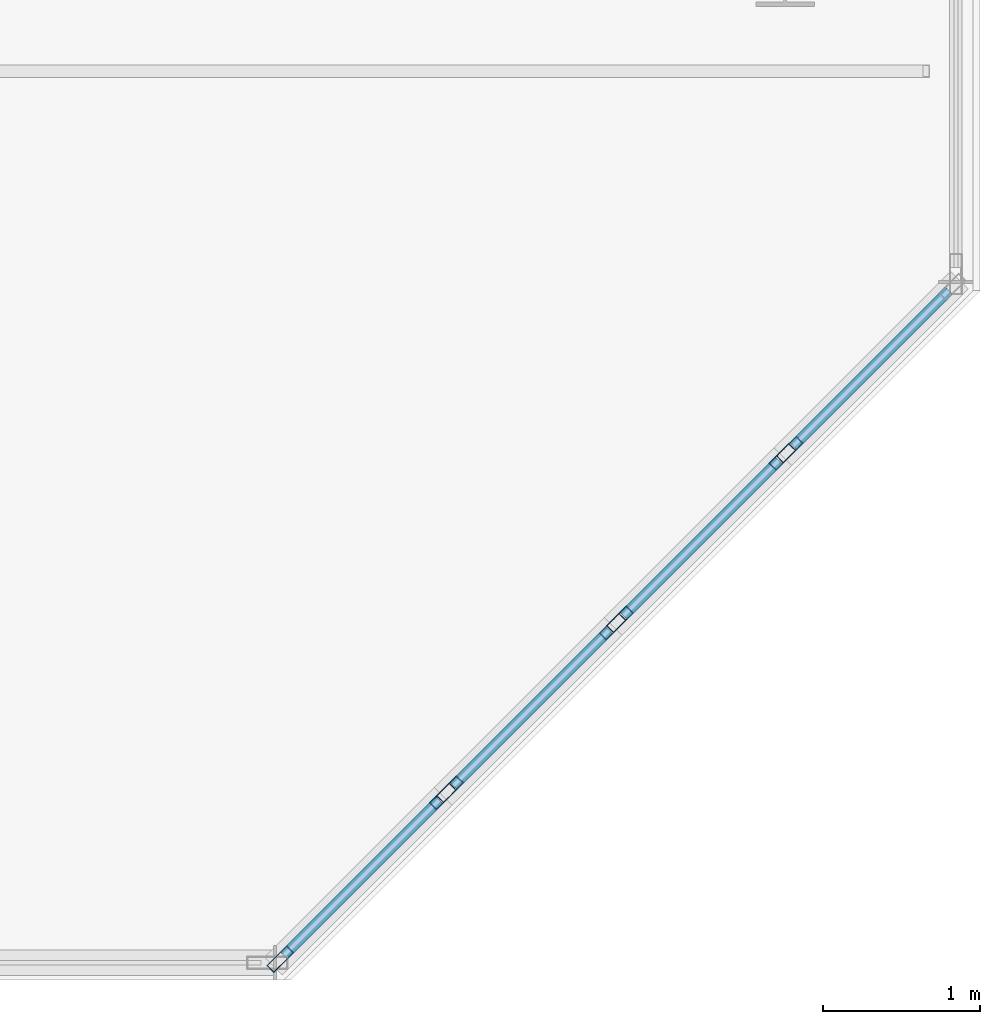
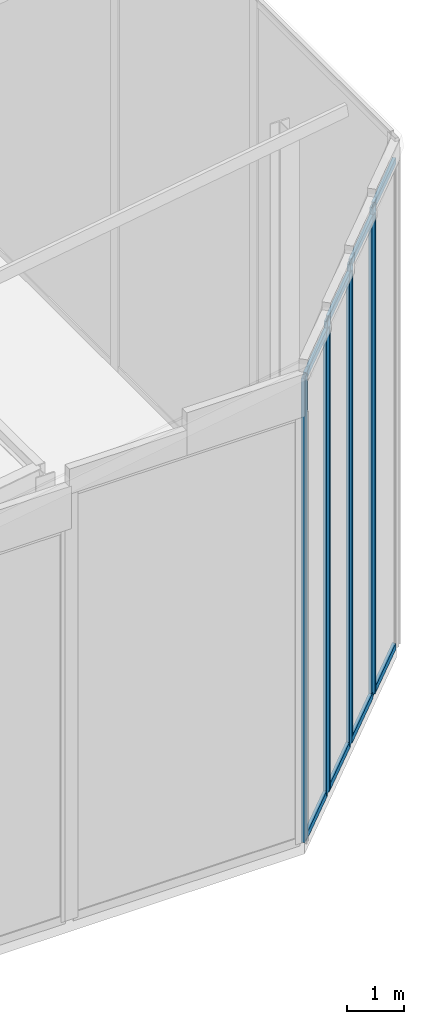
# One storey, part 11 of 30: 15 members, 4 elements without a shape of their own.
"""IFC4 building model written with IfcOpenShell, lengths in metres."""

from ifc_helpers import new_model, si_unit, direction, frame, origin, origin_2d, place, context, subcontext, project, spatial, hollow_rectangle, extrude, material, layer, layer_set, material_profile, profile_set, type_object, element, aggregate, save


model = new_model("IFC4")

# Units and contexts
model_context = context("Model", 3, precision=1e-05, world=origin(), true_north=direction((0.0, 1.0)))
body_context = subcontext(model_context, "Body", "Model", "MODEL_VIEW")
ifc_project = project(units=[si_unit("LENGTHUNIT", "METRE"), si_unit("AREAUNIT", "SQUARE_METRE"), si_unit("VOLUMEUNIT", "CUBIC_METRE"), si_unit("PLANEANGLEUNIT", "RADIAN"), si_unit("MASSUNIT", "GRAM", prefix="KILO")], contexts=[model_context])

# Site, building, storey
site_placement = place(None, origin())
site = spatial("IfcSite", under=ifc_project, at=site_placement, CompositionType="ELEMENT")
building_placement = place(site_placement, origin())
building = spatial("IfcBuilding", under=site, at=building_placement, Name="Tanjung Sevakor Pilgrim Tower", CompositionType="ELEMENT")
storey_placement = place(building_placement, frame((0.0, 0.0, 287.760009765625)))
storey = spatial("IfcBuildingStorey", under=building, at=storey_placement, Name="L80", CompositionType="ELEMENT", Elevation=287.760009765625)

# Curtain wall, members
ifc_material_1 = material(Name="Aluminium 6063-T6 and Low-E Glass", Category="aluminium")
ifc_layer = layer(ifc_material_1, 0.179931640625)
ifc_layer_set = layer_set([ifc_layer], Name="CW-SYS-CHAM")
curtain_wall_type = type_object("IfcCurtainWallType", Name="CW-SYS-CHAM", PredefinedType="NOTDEFINED", material=ifc_layer_set)
curtain_wall_1_placement = place(storey_placement, origin())
curtain_wall_1 = element("IfcCurtainWall", 1, at=curtain_wall_1_placement, inside=storey, type_object=curtain_wall_type, Name="L80 Curtain Wall CW-CHM-L80-EAST-1B1", PredefinedType="NOTDEFINED")
ifc_material_2 = material(Name="Aluminium 6063-T6", Category="aluminium")
ifc_material_profile_1 = material_profile(ifc_material_2, hollow_rectangle(XDim=0.06494140625, YDim=0.179931640625, WallThickness=0.00390625, at=origin_2d()))
ifc_profile_set_1 = profile_set([ifc_material_profile_1], Name="Aluminium 6063-T6")
member_type_1 = type_object("IfcMemberType", Name="TYPE-CWM-1", PredefinedType="MULLION", material=ifc_profile_set_1)
member_1_placement = place(storey_placement, frame((94.77734375, 12.3330078125, 0.0), z_axis=(0.0, 0.0, 1.0), x_axis=(-0.707106781187, 0.707106781187, 0.0)))
member_1 = element("IfcMember", 2, at=member_1_placement, type_object=member_type_1, Name="CW-CHM mullion 1", PredefinedType="MULLION", context=body_context, shape_type="SweptSolid", body=[
    extrude(hollow_rectangle(XDim=0.06494140625, YDim=0.179931640625, WallThickness=0.00390625, at=origin_2d()), origin(), (0.0, 0.0, 1.0), 9.861572265625),
])
member_2_placement = place(storey_placement, frame((95.8154296875, 13.370849609375, 0.0), z_axis=(0.0, 0.0, 1.0), x_axis=(-0.707106781187, 0.707106781187, 0.0)))
member_2 = element("IfcMember", 3, at=member_2_placement, type_object=member_type_1, Name="CW-CHM mullion 2", PredefinedType="MULLION", context=body_context, shape_type="SweptSolid", body=[
    extrude(hollow_rectangle(XDim=0.06494140625, YDim=0.179931640625, WallThickness=0.00390625, at=origin_2d()), origin(), (0.0, 0.0, 1.0), 9.861572265625),
])

curtain_wall_2_placement = place(storey_placement, origin())
curtain_wall_2 = element("IfcCurtainWall", 4, at=curtain_wall_2_placement, inside=storey, type_object=curtain_wall_type, Name="L80 Curtain Wall CW-CHM-L80-EAST-1B2", PredefinedType="NOTDEFINED")
member_3_placement = place(storey_placement, frame((95.861328125, 13.4169921875, 0.0), z_axis=(0.0, 0.0, 1.0), x_axis=(-0.707106781187, 0.707106781187, 0.0)))
member_3 = element("IfcMember", 5, at=member_3_placement, type_object=member_type_1, Name="CW-CHM mullion 1", PredefinedType="MULLION", context=body_context, shape_type="SweptSolid", body=[
    extrude(hollow_rectangle(XDim=0.06494140625, YDim=0.179931640625, WallThickness=0.00390625, at=origin_2d()), origin(), (0.0, 0.0, 1.0), 10.03173828125),
])
member_4_placement = place(storey_placement, frame((96.899169921875, 14.454833984375, 0.0), z_axis=(0.0, 0.0, 1.0), x_axis=(-0.707106781187, 0.707106781187, 0.0)))
member_4 = element("IfcMember", 6, at=member_4_placement, type_object=member_type_1, Name="CW-CHM mullion 2", PredefinedType="MULLION", context=body_context, shape_type="SweptSolid", body=[
    extrude(hollow_rectangle(XDim=0.06494140625, YDim=0.179931640625, WallThickness=0.00390625, at=origin_2d()), origin(), (0.0, 0.0, 1.0), 10.03173828125),
])

curtain_wall_3_placement = place(storey_placement, origin())
curtain_wall_3 = element("IfcCurtainWall", 7, at=curtain_wall_3_placement, inside=storey, type_object=curtain_wall_type, Name="L80 Curtain Wall CW-CHM-L80-EAST-1B3", PredefinedType="NOTDEFINED")
member_5_placement = place(storey_placement, frame((96.945068359375, 14.500732421875, 0.0), z_axis=(0.0, 0.0, 1.0), x_axis=(-0.707106781187, 0.707106781187, 0.0)))
member_5 = element("IfcMember", 8, at=member_5_placement, type_object=member_type_1, Name="CW-CHM mullion 1", PredefinedType="MULLION", context=body_context, shape_type="SweptSolid", body=[
    extrude(hollow_rectangle(XDim=0.06494140625, YDim=0.179931640625, WallThickness=0.00390625, at=origin_2d()), origin(), (0.0, 0.0, 1.0), 10.2021484375),
])
member_6_placement = place(storey_placement, frame((97.983154296875, 15.538818359375, 0.0), z_axis=(0.0, 0.0, 1.0), x_axis=(-0.707106781187, 0.707106781187, 0.0)))
member_6 = element("IfcMember", 9, at=member_6_placement, type_object=member_type_1, Name="CW-CHM mullion 2", PredefinedType="MULLION", context=body_context, shape_type="SweptSolid", body=[
    extrude(hollow_rectangle(XDim=0.06494140625, YDim=0.179931640625, WallThickness=0.00390625, at=origin_2d()), origin(), (0.0, 0.0, 1.0), 10.2021484375),
])

# Curtain wall, member
curtain_wall_4_placement = place(storey_placement, origin())
curtain_wall_4 = element("IfcCurtainWall", 10, at=curtain_wall_4_placement, inside=storey, type_object=curtain_wall_type, Name="L80 Curtain Wall CW-CHM-L80-EAST-1B4", PredefinedType="NOTDEFINED")
member_7_placement = place(storey_placement, frame((98.029052734375, 15.584716796875, 0.0), z_axis=(0.0, 0.0, 1.0), x_axis=(-0.707106781187, 0.707106781187, 0.0)))
member_7 = element("IfcMember", 11, at=member_7_placement, type_object=member_type_1, Name="CW-CHM mullion 1", PredefinedType="MULLION", context=body_context, shape_type="SweptSolid", body=[
    extrude(hollow_rectangle(XDim=0.06494140625, YDim=0.179931640625, WallThickness=0.00390625, at=origin_2d()), origin(), (0.0, 0.0, 1.0), 10.372314453125),
])

# Member
ifc_material_3 = material(Name="Aluminium 6063-T6", Category="aluminium")
ifc_material_profile_2 = material_profile(ifc_material_3, hollow_rectangle(XDim=0.06494140625, YDim=0.139892578125, WallThickness=0.00390625, at=origin_2d()))
ifc_profile_set_2 = profile_set([ifc_material_profile_2], Name="Aluminium 6063-T6")
member_type_2 = type_object("IfcMemberType", Name="TYPE-CWT-1", PredefinedType="USERDEFINED", material=ifc_profile_set_2)
member_8_placement = place(storey_placement, frame((94.80029296875, 12.35595703125, 0.032470703125), z_axis=(0.707106781187, 0.707106781187, 0.0), x_axis=(-0.707106781187, 0.707106781187, 0.0)))
member_8 = element("IfcMember", 12, at=member_8_placement, type_object=member_type_2, Name="CW-CHM transom 1.1", ObjectType="TRANSOM", PredefinedType="USERDEFINED", context=body_context, shape_type="SweptSolid", body=[
    extrude(hollow_rectangle(XDim=0.06494140625, YDim=0.139892578125, WallThickness=0.00390625, at=origin_2d()), origin(), (0.0, 0.0, 1.0), 1.40283203125),
])

member_9_placement = place(storey_placement, frame((94.80029296875, 12.35595703125, 9.8291015625), z_axis=(0.707106781187, 0.707106781187, 0.0), x_axis=(-0.707106781187, 0.707106781187, 0.0)))
member_9 = element("IfcMember", 13, at=member_9_placement, type_object=member_type_2, Name="CW-CHM transom 1.2", ObjectType="TRANSOM", PredefinedType="USERDEFINED", context=body_context, shape_type="SweptSolid", body=[
    extrude(hollow_rectangle(XDim=0.06494140625, YDim=0.139892578125, WallThickness=0.00390625, at=origin_2d()), origin(), (0.0, 0.0, 1.0), 1.40283203125),
])

aggregate(curtain_wall_1, [member_1, member_2, member_8, member_9])

member_10_placement = place(storey_placement, frame((95.88427734375, 13.43994140625, 0.032470703125), z_axis=(0.707106781187, 0.707106781187, 0.0), x_axis=(-0.707106781187, 0.707106781187, 0.0)))
member_10 = element("IfcMember", 14, at=member_10_placement, type_object=member_type_2, Name="CW-CHM transom 1.1", ObjectType="TRANSOM", PredefinedType="USERDEFINED", context=body_context, shape_type="SweptSolid", body=[
    extrude(hollow_rectangle(XDim=0.06494140625, YDim=0.139892578125, WallThickness=0.00390625, at=origin_2d()), origin(), (0.0, 0.0, 1.0), 1.40283203125),
])

member_11_placement = place(storey_placement, frame((95.88427734375, 13.43994140625, 9.999267578125), z_axis=(0.707106781187, 0.707106781187, 0.0), x_axis=(-0.707106781187, 0.707106781187, 0.0)))
member_11 = element("IfcMember", 15, at=member_11_placement, type_object=member_type_2, Name="CW-CHM transom 1.2", ObjectType="TRANSOM", PredefinedType="USERDEFINED", context=body_context, shape_type="SweptSolid", body=[
    extrude(hollow_rectangle(XDim=0.06494140625, YDim=0.139892578125, WallThickness=0.00390625, at=origin_2d()), origin(), (0.0, 0.0, 1.0), 1.40283203125),
])

aggregate(curtain_wall_2, [member_3, member_4, member_10, member_11])

member_12_placement = place(storey_placement, frame((96.96826171875, 14.523681640625, 0.032470703125), z_axis=(0.707106781187, 0.707106781187, 0.0), x_axis=(-0.707106781187, 0.707106781187, 0.0)))
member_12 = element("IfcMember", 16, at=member_12_placement, type_object=member_type_2, Name="CW-CHM transom 1.1", ObjectType="TRANSOM", PredefinedType="USERDEFINED", context=body_context, shape_type="SweptSolid", body=[
    extrude(hollow_rectangle(XDim=0.06494140625, YDim=0.139892578125, WallThickness=0.00390625, at=origin_2d()), origin(), (0.0, 0.0, 1.0), 1.40283203125),
])

member_13_placement = place(storey_placement, frame((96.96826171875, 14.523681640625, 10.169677734375), z_axis=(0.707106781187, 0.707106781187, 0.0), x_axis=(-0.707106781187, 0.707106781187, 0.0)))
member_13 = element("IfcMember", 17, at=member_13_placement, type_object=member_type_2, Name="CW-CHM transom 1.2", ObjectType="TRANSOM", PredefinedType="USERDEFINED", context=body_context, shape_type="SweptSolid", body=[
    extrude(hollow_rectangle(XDim=0.06494140625, YDim=0.139892578125, WallThickness=0.00390625, at=origin_2d()), origin(), (0.0, 0.0, 1.0), 1.40283203125),
])

aggregate(curtain_wall_3, [member_5, member_6, member_12, member_13])

member_14_placement = place(storey_placement, frame((98.052001953125, 15.607666015625, 0.032470703125), z_axis=(0.707106781187, 0.707106781187, 0.0), x_axis=(-0.707106781187, 0.707106781187, 0.0)))
member_14 = element("IfcMember", 18, at=member_14_placement, type_object=member_type_2, Name="CW-CHM transom 1.1", ObjectType="TRANSOM", PredefinedType="USERDEFINED", context=body_context, shape_type="SweptSolid", body=[
    extrude(hollow_rectangle(XDim=0.06494140625, YDim=0.139892578125, WallThickness=0.00390625, at=origin_2d()), origin(), (0.0, 0.0, 1.0), 1.40283203125),
])

member_15_placement = place(storey_placement, frame((98.052001953125, 15.607666015625, 10.33984375), z_axis=(0.707106781187, 0.707106781187, 0.0), x_axis=(-0.707106781187, 0.707106781187, 0.0)))
member_15 = element("IfcMember", 19, at=member_15_placement, type_object=member_type_2, Name="CW-CHM transom 1.2", ObjectType="TRANSOM", PredefinedType="USERDEFINED", context=body_context, shape_type="SweptSolid", body=[
    extrude(hollow_rectangle(XDim=0.06494140625, YDim=0.139892578125, WallThickness=0.00390625, at=origin_2d()), origin(), (0.0, 0.0, 1.0), 1.40283203125),
])

aggregate(curtain_wall_4, [member_7, member_14, member_15])

save(model, "model.ifc")
